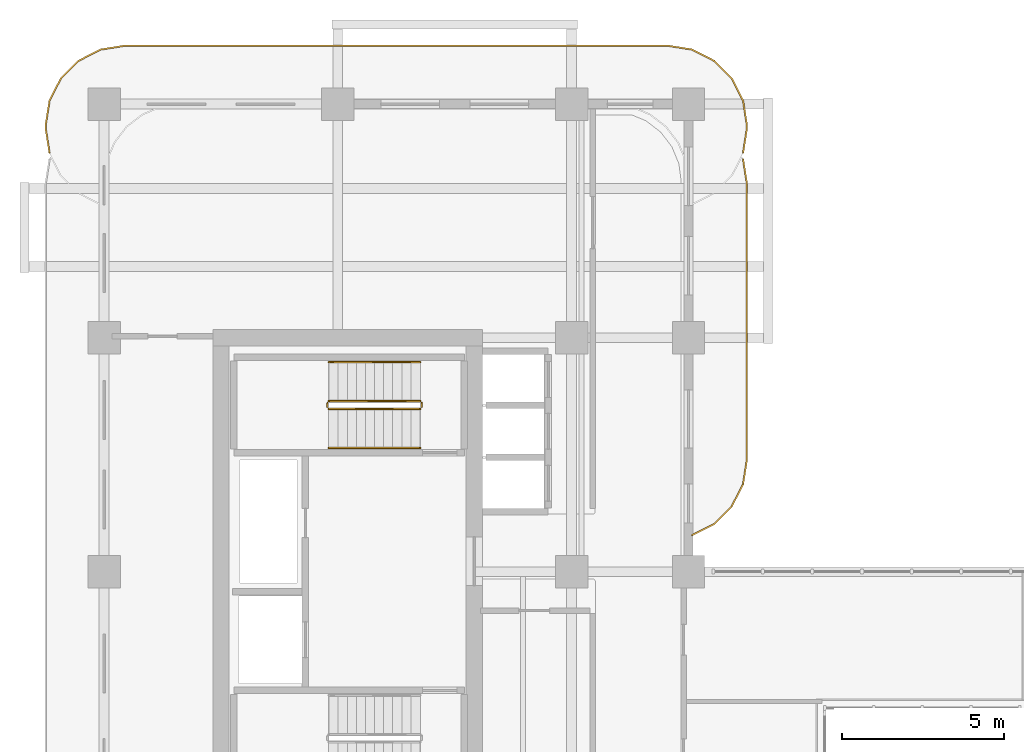
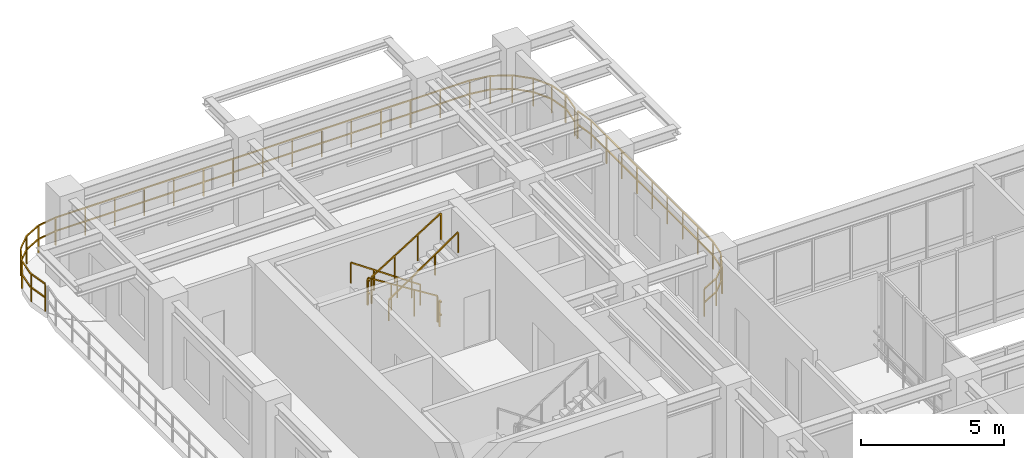
# One storey, part 19 of 19: 8 railings.
"""IFC4 building model written with IfcOpenShell, lengths in metres."""

from ifc_helpers import new_model, si_unit, derived_unit, direction, frame, origin, origin_2d, place, context, subcontext, project, spatial, rectangle, extrude, material, type_object, element, save


model = new_model("IFC4")

# Units and contexts
model_context = context("Model", 3, precision=1e-05, world=origin(), true_north=direction((0.0, 1.0)))
body_context = subcontext(model_context, "Body", "Model", "MODEL_VIEW")
ifc_project = project(units=[si_unit("LENGTHUNIT", "METRE"), si_unit("AREAUNIT", "SQUARE_METRE"), si_unit("VOLUMEUNIT", "CUBIC_METRE"), si_unit("PLANEANGLEUNIT", "RADIAN"), si_unit("MASSUNIT", "GRAM", prefix="KILO"), si_unit("THERMODYNAMICTEMPERATUREUNIT", "KELVIN"), si_unit("POWERUNIT", "WATT"), derived_unit("THERMALTRANSMITTANCEUNIT", [(si_unit("POWERUNIT", "WATT"), 1), (si_unit("AREAUNIT", "SQUARE_METRE"), -1), (si_unit("THERMODYNAMICTEMPERATUREUNIT", "KELVIN"), -1)])], contexts=[model_context])

# Site, building, storey
site_placement = place(None, origin())
site = spatial("IfcSite", under=ifc_project, at=site_placement, CompositionType="ELEMENT")
building_placement = place(site_placement, origin())
building = spatial("IfcBuilding", under=site, at=building_placement, Name="Zahravan Archway Hotel and Residences", CompositionType="ELEMENT")
storey_placement = place(building_placement, frame((0.0, 0.0, 158.0)))
storey = spatial("IfcBuildingStorey", under=building, at=storey_placement, Name="L39", CompositionType="ELEMENT", Elevation=158.0)

# Railings
ifc_material_1 = material(Name="Bronze & Laminated Glass Balustrade", Category="glass")
railing_type_1 = type_object("IfcRailingType", Name="RL-BAL-1200", PredefinedType="BALUSTRADE", material=ifc_material_1)
railing_1_placement = place(storey_placement, frame((-1.68017578125, 45.29296875, 0.0)))
element("IfcRailing", 1, at=railing_1_placement, inside=storey, type_object=railing_type_1, Name="L39 Balustrade RL-SLB-BAL-L39-NB-1", PredefinedType="BALUSTRADE", context=body_context, shape_type="SweptSolid", body=[
    extrude(rectangle(XDim=0.048095703125, YDim=0.048095703125, at=origin_2d()), frame((0.0, 0.0, 1.17578125), z_axis=(-0.156387811283, 0.987695728695, 0.0), x_axis=(-0.987695728695, -0.156387811283, 0.0)), (0.0, 0.0, 1.0), 0.7666015625),
    extrude(rectangle(XDim=0.048095703125, YDim=0.048095703125, at=origin_2d()), frame((0.0, 0.0, 0.60009765625), z_axis=(-0.156387811283, 0.987695728695, 0.0), x_axis=(-0.987695728695, -0.156387811283, 0.0)), (0.0, 0.0, 1.0), 0.7666015625),
    extrude(rectangle(XDim=0.048095703125, YDim=0.048095703125, at=origin_2d()), frame((-0.119873046875, 0.757080078125, 1.17578125), z_axis=(0.0, 1.0, 0.0), x_axis=(-1.0, 0.0, 0.0)), (0.0, 0.0, 1.0), 0.099853515625),
    extrude(rectangle(XDim=0.048095703125, YDim=0.048095703125, at=origin_2d()), frame((-0.119873046875, 0.757080078125, 0.60009765625), z_axis=(0.0, 1.0, 0.0), x_axis=(-1.0, 0.0, 0.0)), (0.0, 0.0, 1.0), 0.099853515625),
    extrude(rectangle(XDim=0.048095703125, YDim=0.048095703125, at=origin_2d()), frame((-0.119873046875, 0.85693359375, 1.17578125), z_axis=(0.156387811283, 0.987695728695, 0.0), x_axis=(-0.987695728695, 0.156387811283, 0.0)), (0.0, 0.0, 1.0), 0.7666015625),
    extrude(rectangle(XDim=0.048095703125, YDim=0.048095703125, at=origin_2d()), frame((-0.119873046875, 0.85693359375, 0.60009765625), z_axis=(0.156387811283, 0.987695728695, 0.0), x_axis=(-0.987695728695, 0.156387811283, 0.0)), (0.0, 0.0, 1.0), 0.7666015625),
    extrude(rectangle(XDim=0.048095703125, YDim=0.048095703125, at=origin_2d()), frame((0.0, 1.614013671875, 1.17578125), z_axis=(0.454078418624, 0.890961721815, 0.0), x_axis=(-0.890961721815, 0.454078418624, 0.0)), (0.0, 0.0, 1.0), 0.7666015625),
    extrude(rectangle(XDim=0.048095703125, YDim=0.048095703125, at=origin_2d()), frame((0.0, 1.614013671875, 0.60009765625), z_axis=(0.454078418624, 0.890961721815, 0.0), x_axis=(-0.890961721815, 0.454078418624, 0.0)), (0.0, 0.0, 1.0), 0.7666015625),
    extrude(rectangle(XDim=0.048095703125, YDim=0.048095703125, at=origin_2d()), frame((0.34814453125, 2.297119140625, 1.17578125), z_axis=(0.707106781187, 0.707106781187, 0.0), x_axis=(-0.707106781187, 0.707106781187, 0.0)), (0.0, 0.0, 1.0), 0.7666015625),
    extrude(rectangle(XDim=0.048095703125, YDim=0.048095703125, at=origin_2d()), frame((0.34814453125, 2.297119140625, 0.60009765625), z_axis=(0.707106781187, 0.707106781187, 0.0), x_axis=(-0.707106781187, 0.707106781187, 0.0)), (0.0, 0.0, 1.0), 0.7666015625),
    extrude(rectangle(XDim=0.048095703125, YDim=0.048095703125, at=origin_2d()), frame((0.89013671875, 2.839111328125, 1.17578125), z_axis=(0.891024909783, 0.453954414172, 0.0), x_axis=(-0.453954414172, 0.891024909783, 0.0)), (0.0, 0.0, 1.0), 0.766357421875),
    extrude(rectangle(XDim=0.048095703125, YDim=0.048095703125, at=origin_2d()), frame((0.89013671875, 2.839111328125, 0.60009765625), z_axis=(0.891024909783, 0.453954414172, 0.0), x_axis=(-0.453954414172, 0.891024909783, 0.0)), (0.0, 0.0, 1.0), 0.766357421875),
    extrude(rectangle(XDim=0.048095703125, YDim=0.048095703125, at=origin_2d()), frame((1.572998046875, 3.18701171875, 1.17578125), z_axis=(0.987646484274, 0.156698507018, 0.0), x_axis=(-0.156698507018, 0.987646484274, 0.0)), (0.0, 0.0, 1.0), 0.7666015625),
    extrude(rectangle(XDim=0.048095703125, YDim=0.048095703125, at=origin_2d()), frame((1.572998046875, 3.18701171875, 0.60009765625), z_axis=(0.987646484274, 0.156698507018, 0.0), x_axis=(-0.156698507018, 0.987646484274, 0.0)), (0.0, 0.0, 1.0), 0.7666015625),
    extrude(rectangle(XDim=0.048095703125, YDim=0.048095703125, at=origin_2d()), frame((2.330078125, 3.30712890625, 1.17578125), z_axis=(1.0, 0.0, 0.0), x_axis=(0.0, 1.0, 0.0)), (0.0, 0.0, 1.0), 16.7001953125),
    extrude(rectangle(XDim=0.048095703125, YDim=0.048095703125, at=origin_2d()), frame((2.330078125, 3.30712890625, 0.60009765625), z_axis=(1.0, 0.0, 0.0), x_axis=(0.0, 1.0, 0.0)), (0.0, 0.0, 1.0), 16.7001953125),
    extrude(rectangle(XDim=0.048095703125, YDim=0.048095703125, at=origin_2d()), frame((19.0302734375, 3.30712890625, 1.17578125), z_axis=(0.987646484274, -0.156698507018, 0.0), x_axis=(0.156698507018, 0.987646484274, 0.0)), (0.0, 0.0, 1.0), 0.7666015625),
    extrude(rectangle(XDim=0.048095703125, YDim=0.048095703125, at=origin_2d()), frame((19.0302734375, 3.30712890625, 0.60009765625), z_axis=(0.987646484274, -0.156698507018, 0.0), x_axis=(0.156698507018, 0.987646484274, 0.0)), (0.0, 0.0, 1.0), 0.7666015625),
    extrude(rectangle(XDim=0.048095703125, YDim=0.048095703125, at=origin_2d()), frame((19.787353515625, 3.18701171875, 1.17578125), z_axis=(0.891024909783, -0.453954414172, 0.0), x_axis=(0.453954414172, 0.891024909783, 0.0)), (0.0, 0.0, 1.0), 0.766357421875),
    extrude(rectangle(XDim=0.048095703125, YDim=0.048095703125, at=origin_2d()), frame((19.787353515625, 3.18701171875, 0.60009765625), z_axis=(0.891024909783, -0.453954414172, 0.0), x_axis=(0.453954414172, 0.891024909783, 0.0)), (0.0, 0.0, 1.0), 0.766357421875),
    extrude(rectangle(XDim=0.048095703125, YDim=0.048095703125, at=origin_2d()), frame((20.47021484375, 2.839111328125, 1.17578125), z_axis=(0.707106781187, -0.707106781187, 0.0), x_axis=(0.707106781187, 0.707106781187, 0.0)), (0.0, 0.0, 1.0), 0.7666015625),
    extrude(rectangle(XDim=0.048095703125, YDim=0.048095703125, at=origin_2d()), frame((20.47021484375, 2.839111328125, 0.60009765625), z_axis=(0.707106781187, -0.707106781187, 0.0), x_axis=(0.707106781187, 0.707106781187, 0.0)), (0.0, 0.0, 1.0), 0.7666015625),
    extrude(rectangle(XDim=0.048095703125, YDim=0.048095703125, at=origin_2d()), frame((21.01220703125, 2.297119140625, 1.17578125), z_axis=(0.454078418624, -0.890961721815, 0.0), x_axis=(0.890961721815, 0.454078418624, 0.0)), (0.0, 0.0, 1.0), 0.7666015625),
    extrude(rectangle(XDim=0.048095703125, YDim=0.048095703125, at=origin_2d()), frame((21.01220703125, 2.297119140625, 0.60009765625), z_axis=(0.454078418624, -0.890961721815, 0.0), x_axis=(0.890961721815, 0.454078418624, 0.0)), (0.0, 0.0, 1.0), 0.7666015625),
    extrude(rectangle(XDim=0.048095703125, YDim=0.048095703125, at=origin_2d()), frame((21.3603515625, 1.614013671875, 1.17578125), z_axis=(0.156387811283, -0.987695728695, 0.0), x_axis=(0.987695728695, 0.156387811283, 0.0)), (0.0, 0.0, 1.0), 0.7666015625),
    extrude(rectangle(XDim=0.048095703125, YDim=0.048095703125, at=origin_2d()), frame((21.3603515625, 1.614013671875, 0.60009765625), z_axis=(0.156387811283, -0.987695728695, 0.0), x_axis=(0.987695728695, 0.156387811283, 0.0)), (0.0, 0.0, 1.0), 0.7666015625),
    extrude(rectangle(XDim=0.048095703125, YDim=0.048095703125, at=origin_2d()), frame((21.480224609375, 0.85693359375, 1.17578125), z_axis=(0.0, -1.0, 0.0), x_axis=(1.0, 0.0, 0.0)), (0.0, 0.0, 1.0), 0.099853515625),
    extrude(rectangle(XDim=0.048095703125, YDim=0.048095703125, at=origin_2d()), frame((21.480224609375, 0.85693359375, 0.60009765625), z_axis=(0.0, -1.0, 0.0), x_axis=(1.0, 0.0, 0.0)), (0.0, 0.0, 1.0), 0.099853515625),
    extrude(rectangle(XDim=0.048095703125, YDim=0.048095703125, at=origin_2d()), frame((21.480224609375, 0.757080078125, 1.17578125), z_axis=(-0.156387811283, -0.987695728695, 0.0), x_axis=(0.987695728695, -0.156387811283, 0.0)), (0.0, 0.0, 1.0), 0.7666015625),
    extrude(rectangle(XDim=0.048095703125, YDim=0.048095703125, at=origin_2d()), frame((21.480224609375, 0.757080078125, 0.60009765625), z_axis=(-0.156387811283, -0.987695728695, 0.0), x_axis=(0.987695728695, -0.156387811283, 0.0)), (0.0, 0.0, 1.0), 0.7666015625),
    extrude(rectangle(XDim=0.0419921875, YDim=0.0419921875, at=origin_2d()), origin(), (0.0, 0.0, 1.0), 1.15185546875),
    extrude(rectangle(XDim=0.0419921875, YDim=0.0419921875, at=origin_2d()), frame((-0.119873046875, 0.757080078125, 0.0)), (0.0, 0.0, 1.0), 1.15185546875),
    extrude(rectangle(XDim=0.0419921875, YDim=0.0419921875, at=origin_2d()), frame((0.0, 1.614013671875, 0.0)), (0.0, 0.0, 1.0), 1.15185546875),
    extrude(rectangle(XDim=0.0419921875, YDim=0.0419921875, at=origin_2d()), frame((0.34814453125, 2.297119140625, 0.0)), (0.0, 0.0, 1.0), 1.15185546875),
    extrude(rectangle(XDim=0.0419921875, YDim=0.0419921875, at=origin_2d()), frame((0.89013671875, 2.839111328125, 0.0)), (0.0, 0.0, 1.0), 1.15185546875),
    extrude(rectangle(XDim=0.0419921875, YDim=0.0419921875, at=origin_2d()), frame((1.572998046875, 3.18701171875, 0.0)), (0.0, 0.0, 1.0), 1.15185546875),
    extrude(rectangle(XDim=0.0419921875, YDim=0.0419921875, at=origin_2d()), frame((2.330078125, 3.30712890625, 0.0)), (0.0, 0.0, 1.0), 1.15185546875),
    extrude(rectangle(XDim=0.0419921875, YDim=0.0419921875, at=origin_2d()), frame((3.52294921875, 3.30712890625, 0.0)), (0.0, 0.0, 1.0), 1.15185546875),
    extrude(rectangle(XDim=0.0419921875, YDim=0.0419921875, at=origin_2d()), frame((4.7158203125, 3.30712890625, 0.0)), (0.0, 0.0, 1.0), 1.15185546875),
    extrude(rectangle(XDim=0.0419921875, YDim=0.0419921875, at=origin_2d()), frame((5.90869140625, 3.30712890625, 0.0)), (0.0, 0.0, 1.0), 1.15185546875),
    extrude(rectangle(XDim=0.0419921875, YDim=0.0419921875, at=origin_2d()), frame((7.1015625, 3.30712890625, 0.0)), (0.0, 0.0, 1.0), 1.15185546875),
    extrude(rectangle(XDim=0.0419921875, YDim=0.0419921875, at=origin_2d()), frame((8.29443359375, 3.30712890625, 0.0)), (0.0, 0.0, 1.0), 1.15185546875),
    extrude(rectangle(XDim=0.0419921875, YDim=0.0419921875, at=origin_2d()), frame((9.4873046875, 3.30712890625, 0.0)), (0.0, 0.0, 1.0), 1.15185546875),
    extrude(rectangle(XDim=0.0419921875, YDim=0.0419921875, at=origin_2d()), frame((10.68017578125, 3.30712890625, 0.0)), (0.0, 0.0, 1.0), 1.15185546875),
    extrude(rectangle(XDim=0.0419921875, YDim=0.0419921875, at=origin_2d()), frame((11.873046875, 3.30712890625, 0.0)), (0.0, 0.0, 1.0), 1.15185546875),
    extrude(rectangle(XDim=0.0419921875, YDim=0.0419921875, at=origin_2d()), frame((13.06591796875, 3.30712890625, 0.0)), (0.0, 0.0, 1.0), 1.15185546875),
    extrude(rectangle(XDim=0.0419921875, YDim=0.0419921875, at=origin_2d()), frame((14.2587890625, 3.30712890625, 0.0)), (0.0, 0.0, 1.0), 1.15185546875),
    extrude(rectangle(XDim=0.0419921875, YDim=0.0419921875, at=origin_2d()), frame((15.45166015625, 3.30712890625, 0.0)), (0.0, 0.0, 1.0), 1.15185546875),
    extrude(rectangle(XDim=0.0419921875, YDim=0.0419921875, at=origin_2d()), frame((16.64453125, 3.30712890625, 0.0)), (0.0, 0.0, 1.0), 1.15185546875),
    extrude(rectangle(XDim=0.0419921875, YDim=0.0419921875, at=origin_2d()), frame((17.83740234375, 3.30712890625, 0.0)), (0.0, 0.0, 1.0), 1.15185546875),
    extrude(rectangle(XDim=0.0419921875, YDim=0.0419921875, at=origin_2d()), frame((19.0302734375, 3.30712890625, 0.0)), (0.0, 0.0, 1.0), 1.15185546875),
    extrude(rectangle(XDim=0.0419921875, YDim=0.0419921875, at=origin_2d()), frame((19.787353515625, 3.18701171875, 0.0)), (0.0, 0.0, 1.0), 1.15185546875),
    extrude(rectangle(XDim=0.0419921875, YDim=0.0419921875, at=origin_2d()), frame((20.47021484375, 2.839111328125, 0.0)), (0.0, 0.0, 1.0), 1.15185546875),
    extrude(rectangle(XDim=0.0419921875, YDim=0.0419921875, at=origin_2d()), frame((21.01220703125, 2.297119140625, 0.0)), (0.0, 0.0, 1.0), 1.15185546875),
    extrude(rectangle(XDim=0.0419921875, YDim=0.0419921875, at=origin_2d()), frame((21.3603515625, 1.614013671875, 0.0)), (0.0, 0.0, 1.0), 1.15185546875),
    extrude(rectangle(XDim=0.0419921875, YDim=0.0419921875, at=origin_2d()), frame((21.480224609375, 0.85693359375, 0.0)), (0.0, 0.0, 1.0), 1.15185546875),
    extrude(rectangle(XDim=0.0419921875, YDim=0.0419921875, at=origin_2d()), frame((21.3603515625, 0.0, 0.0)), (0.0, 0.0, 1.0), 1.15185546875),
])
railing_2_placement = place(storey_placement, frame((19.68017578125, 45.107177734375, 0.0)))
element("IfcRailing", 2, at=railing_2_placement, inside=storey, type_object=railing_type_1, Name="L39 Balustrade RL-SLB-BAL-L39-EB-1", PredefinedType="BALUSTRADE", context=body_context, shape_type="SweptSolid", body=[
    extrude(rectangle(XDim=0.048095703125, YDim=0.048095703125, at=origin_2d()), frame((0.0, 0.0, 1.17578125), z_axis=(0.156387811283, -0.987695728695, 0.0), x_axis=(0.987695728695, 0.156387811283, 0.0)), (0.0, 0.0, 1.0), 0.7666015625),
    extrude(rectangle(XDim=0.048095703125, YDim=0.048095703125, at=origin_2d()), frame((0.0, 0.0, 0.60009765625), z_axis=(0.156387811283, -0.987695728695, 0.0), x_axis=(0.987695728695, 0.156387811283, 0.0)), (0.0, 0.0, 1.0), 0.7666015625),
    extrude(rectangle(XDim=0.048095703125, YDim=0.048095703125, at=origin_2d()), frame((0.119873046875, -0.757080078125, 1.17578125), z_axis=(0.0, -1.0, 0.0), x_axis=(1.0, 0.0, 0.0)), (0.0, 0.0, 1.0), 8.5),
    extrude(rectangle(XDim=0.048095703125, YDim=0.048095703125, at=origin_2d()), frame((0.119873046875, -0.757080078125, 0.60009765625), z_axis=(0.0, -1.0, 0.0), x_axis=(1.0, 0.0, 0.0)), (0.0, 0.0, 1.0), 8.5),
    extrude(rectangle(XDim=0.048095703125, YDim=0.048095703125, at=origin_2d()), frame((0.119873046875, -9.257080078125, 1.17578125), z_axis=(-0.156387811283, -0.987695728695, 0.0), x_axis=(0.987695728695, -0.156387811283, 0.0)), (0.0, 0.0, 1.0), 0.7666015625),
    extrude(rectangle(XDim=0.048095703125, YDim=0.048095703125, at=origin_2d()), frame((0.119873046875, -9.257080078125, 0.60009765625), z_axis=(-0.156387811283, -0.987695728695, 0.0), x_axis=(0.987695728695, -0.156387811283, 0.0)), (0.0, 0.0, 1.0), 0.7666015625),
    extrude(rectangle(XDim=0.048095703125, YDim=0.048095703125, at=origin_2d()), frame((0.0, -10.01416015625, 1.17578125), z_axis=(-0.454078418624, -0.890961721815, 0.0), x_axis=(0.890961721815, -0.454078418624, 0.0)), (0.0, 0.0, 1.0), 0.7666015625),
    extrude(rectangle(XDim=0.048095703125, YDim=0.048095703125, at=origin_2d()), frame((0.0, -10.01416015625, 0.60009765625), z_axis=(-0.454078418624, -0.890961721815, 0.0), x_axis=(0.890961721815, -0.454078418624, 0.0)), (0.0, 0.0, 1.0), 0.7666015625),
    extrude(rectangle(XDim=0.048095703125, YDim=0.048095703125, at=origin_2d()), frame((-0.34814453125, -10.697265625, 1.17578125), z_axis=(-0.707106781187, -0.707106781187, 0.0), x_axis=(0.707106781187, -0.707106781187, 0.0)), (0.0, 0.0, 1.0), 0.7666015625),
    extrude(rectangle(XDim=0.048095703125, YDim=0.048095703125, at=origin_2d()), frame((-0.34814453125, -10.697265625, 0.60009765625), z_axis=(-0.707106781187, -0.707106781187, 0.0), x_axis=(0.707106781187, -0.707106781187, 0.0)), (0.0, 0.0, 1.0), 0.7666015625),
    extrude(rectangle(XDim=0.048095703125, YDim=0.048095703125, at=origin_2d()), frame((-0.89013671875, -11.2392578125, 1.17578125), z_axis=(-0.891024909783, -0.453954414172, 0.0), x_axis=(0.453954414172, -0.891024909783, 0.0)), (0.0, 0.0, 1.0), 0.766357421875),
    extrude(rectangle(XDim=0.048095703125, YDim=0.048095703125, at=origin_2d()), frame((-0.89013671875, -11.2392578125, 0.60009765625), z_axis=(-0.891024909783, -0.453954414172, 0.0), x_axis=(0.453954414172, -0.891024909783, 0.0)), (0.0, 0.0, 1.0), 0.766357421875),
    extrude(rectangle(XDim=0.0419921875, YDim=0.0419921875, at=origin_2d()), origin(), (0.0, 0.0, 1.0), 1.15185546875),
    extrude(rectangle(XDim=0.0419921875, YDim=0.0419921875, at=origin_2d()), frame((0.119873046875, -0.757080078125, 0.0)), (0.0, 0.0, 1.0), 1.15185546875),
    extrude(rectangle(XDim=0.0419921875, YDim=0.0419921875, at=origin_2d()), frame((0.119873046875, -1.819580078125, 0.0)), (0.0, 0.0, 1.0), 1.15185546875),
    extrude(rectangle(XDim=0.0419921875, YDim=0.0419921875, at=origin_2d()), frame((0.119873046875, -2.882080078125, 0.0)), (0.0, 0.0, 1.0), 1.15185546875),
    extrude(rectangle(XDim=0.0419921875, YDim=0.0419921875, at=origin_2d()), frame((0.119873046875, -3.944580078125, 0.0)), (0.0, 0.0, 1.0), 1.15185546875),
    extrude(rectangle(XDim=0.0419921875, YDim=0.0419921875, at=origin_2d()), frame((0.119873046875, -5.007080078125, 0.0)), (0.0, 0.0, 1.0), 1.15185546875),
    extrude(rectangle(XDim=0.0419921875, YDim=0.0419921875, at=origin_2d()), frame((0.119873046875, -6.069580078125, 0.0)), (0.0, 0.0, 1.0), 1.15185546875),
    extrude(rectangle(XDim=0.0419921875, YDim=0.0419921875, at=origin_2d()), frame((0.119873046875, -7.132080078125, 0.0)), (0.0, 0.0, 1.0), 1.15185546875),
    extrude(rectangle(XDim=0.0419921875, YDim=0.0419921875, at=origin_2d()), frame((0.119873046875, -8.194580078125, 0.0)), (0.0, 0.0, 1.0), 1.15185546875),
    extrude(rectangle(XDim=0.0419921875, YDim=0.0419921875, at=origin_2d()), frame((0.119873046875, -9.257080078125, 0.0)), (0.0, 0.0, 1.0), 1.15185546875),
    extrude(rectangle(XDim=0.0419921875, YDim=0.0419921875, at=origin_2d()), frame((0.0, -10.01416015625, 0.0)), (0.0, 0.0, 1.0), 1.15185546875),
    extrude(rectangle(XDim=0.0419921875, YDim=0.0419921875, at=origin_2d()), frame((-0.34814453125, -10.697265625, 0.0)), (0.0, 0.0, 1.0), 1.15185546875),
    extrude(rectangle(XDim=0.0419921875, YDim=0.0419921875, at=origin_2d()), frame((-0.89013671875, -11.2392578125, 0.0)), (0.0, 0.0, 1.0), 1.15185546875),
    extrude(rectangle(XDim=0.0419921875, YDim=0.0419921875, at=origin_2d()), frame((-1.572998046875, -11.587158203125, 0.0)), (0.0, 0.0, 1.0), 1.15185546875),
])
ifc_material_2 = material(Name="Painted Tubular Steel", Category="steel")
railing_type_2 = type_object("IfcRailingType", Name="RL-STG-1150", PredefinedType="GUARDRAIL", material=ifc_material_2)
railing_3_placement = place(storey_placement, frame((9.72998046875, 37.64990234375, 0.175048828125)))
element("IfcRailing", 3, at=railing_3_placement, inside=storey, type_object=railing_type_2, Name="L39 ST-B2 stair guard 1", PredefinedType="GUARDRAIL", context=body_context, shape_type="SweptSolid", body=[
    extrude(rectangle(XDim=0.048095703125, YDim=0.048095703125, at=origin_2d()), frame((0.0, 0.0, 1.1259765625), z_axis=(-0.848002457836, 0.0, 0.529992293815), x_axis=(0.0, -1.0, 0.0)), (0.0, 0.0, 1.0), 3.302001953125),
    extrude(rectangle(XDim=0.0419921875, YDim=0.0419921875, at=origin_2d()), origin(), (0.0, 0.0, 1.0), 1.101806640625),
    extrude(rectangle(XDim=0.0419921875, YDim=0.0419921875, at=origin_2d()), frame((-0.933349609375, 0.0, 0.583251953125)), (0.0, 0.0, 1.0), 1.101806640625),
    extrude(rectangle(XDim=0.0419921875, YDim=0.0419921875, at=origin_2d()), frame((-1.86669921875, 0.0, 1.166748046875)), (0.0, 0.0, 1.0), 1.101806640625),
    extrude(rectangle(XDim=0.0419921875, YDim=0.0419921875, at=origin_2d()), frame((-2.800048828125, 0.0, 1.75)), (0.0, 0.0, 1.0), 1.101806640625),
])
railing_4_placement = place(storey_placement, frame((6.8798828125, 37.60009765625, 1.925048828125)))
element("IfcRailing", 4, at=railing_4_placement, inside=storey, type_object=railing_type_2, Name="L39 ST-B2 stair guard 2", PredefinedType="GUARDRAIL", context=body_context, shape_type="SweptSolid", body=[
    extrude(rectangle(XDim=0.048095703125, YDim=0.048095703125, at=origin_2d()), frame((0.0, 0.0, 1.1259765625), z_axis=(0.0, -1.0, 0.0), x_axis=(1.0, 0.0, 0.0)), (0.0, 0.0, 1.0), 0.14013671875),
    extrude(rectangle(XDim=0.048095703125, YDim=0.048095703125, at=origin_2d()), frame((0.0, 0.0, 0.574951171875), z_axis=(0.0, -1.0, 0.0), x_axis=(1.0, 0.0, 0.0)), (0.0, 0.0, 1.0), 0.14013671875),
    extrude(rectangle(XDim=0.0419921875, YDim=0.0419921875, at=origin_2d()), origin(), (0.0, 0.0, 1.0), 1.101806640625),
])
railing_5_placement = place(storey_placement, frame((6.929931640625, 37.409912109375, 2.10009765625)))
element("IfcRailing", 5, at=railing_5_placement, inside=storey, type_object=railing_type_2, Name="L39 ST-B2 stair guard 3", PredefinedType="GUARDRAIL", context=body_context, shape_type="SweptSolid", body=[
    extrude(rectangle(XDim=0.048095703125, YDim=0.048095703125, at=origin_2d()), frame((0.0, 0.0, 1.1259765625), z_axis=(0.848002457836, 0.0, 0.529992293815), x_axis=(0.0, 1.0, 0.0)), (0.0, 0.0, 1.0), 3.302001953125),
    extrude(rectangle(XDim=0.0419921875, YDim=0.0419921875, at=origin_2d()), origin(), (0.0, 0.0, 1.0), 1.101806640625),
    extrude(rectangle(XDim=0.0419921875, YDim=0.0419921875, at=origin_2d()), frame((0.933349609375, 0.0, 0.583251953125)), (0.0, 0.0, 1.0), 1.101806640625),
    extrude(rectangle(XDim=0.0419921875, YDim=0.0419921875, at=origin_2d()), frame((1.86669921875, 0.0, 1.166748046875)), (0.0, 0.0, 1.0), 1.101806640625),
    extrude(rectangle(XDim=0.0419921875, YDim=0.0419921875, at=origin_2d()), frame((2.800048828125, 0.0, 1.75)), (0.0, 0.0, 1.0), 1.101806640625),
])
railing_6_placement = place(storey_placement, frame((9.780029296875, 37.60009765625, 0.0)))
element("IfcRailing", 6, at=railing_6_placement, inside=storey, type_object=railing_type_2, Name="L39 ST-B2 stair guard 4", PredefinedType="GUARDRAIL", context=body_context, shape_type="SweptSolid", body=[
    extrude(rectangle(XDim=0.048095703125, YDim=0.048095703125, at=origin_2d()), frame((0.0, 0.0, 1.1259765625), z_axis=(0.0, -1.0, 0.0), x_axis=(1.0, 0.0, 0.0)), (0.0, 0.0, 1.0), 0.14013671875),
    extrude(rectangle(XDim=0.048095703125, YDim=0.048095703125, at=origin_2d()), frame((0.0, 0.0, 0.574951171875), z_axis=(0.0, -1.0, 0.0), x_axis=(1.0, 0.0, 0.0)), (0.0, 0.0, 1.0), 0.14013671875),
    extrude(rectangle(XDim=0.0419921875, YDim=0.0419921875, at=origin_2d()), origin(), (0.0, 0.0, 1.0), 1.101806640625),
])
ifc_material_3 = material(Name="Brushed Stainless Steel", Category="steel")
railing_type_3 = type_object("IfcRailingType", Name="RL-STH-900", PredefinedType="HANDRAIL", material=ifc_material_3)
railing_7_placement = place(storey_placement, frame((9.72998046875, 38.85009765625, 0.175048828125)))
element("IfcRailing", 7, at=railing_7_placement, inside=storey, type_object=railing_type_3, Name="L39 ST-B2 stair handrail 1", PredefinedType="HANDRAIL", context=body_context, shape_type="SweptSolid", body=[
    extrude(rectangle(XDim=0.048095703125, YDim=0.048095703125, at=origin_2d()), frame((0.0, 0.0, 0.8759765625), z_axis=(-0.824039827795, 0.0, 0.566531872191), x_axis=(0.0, -1.0, 0.0)), (0.0, 0.0, 1.0), 3.39794921875),
    extrude(rectangle(XDim=0.0419921875, YDim=0.0419921875, at=origin_2d()), origin(), (0.0, 0.0, 1.0), 0.851806640625),
    extrude(rectangle(XDim=0.0419921875, YDim=0.0419921875, at=origin_2d()), frame((-0.933349609375, 0.0, 0.6416015625)), (0.0, 0.0, 1.0), 0.851806640625),
    extrude(rectangle(XDim=0.0419921875, YDim=0.0419921875, at=origin_2d()), frame((-1.86669921875, 0.0, 1.283447265625)), (0.0, 0.0, 1.0), 0.851806640625),
    extrude(rectangle(XDim=0.0419921875, YDim=0.0419921875, at=origin_2d()), frame((-2.800048828125, 0.0, 1.925048828125)), (0.0, 0.0, 1.0), 0.851806640625),
])
railing_8_placement = place(storey_placement, frame((6.929931640625, 36.2099609375, 2.10009765625)))
element("IfcRailing", 8, at=railing_8_placement, inside=storey, type_object=railing_type_3, Name="L39 ST-B2 stair handrail 2", PredefinedType="HANDRAIL", context=body_context, shape_type="SweptSolid", body=[
    extrude(rectangle(XDim=0.048095703125, YDim=0.048095703125, at=origin_2d()), frame((0.0, 0.0, 0.8759765625), z_axis=(0.824073370198, 0.0, 0.566483080534), x_axis=(0.0, 1.0, 0.0)), (0.0, 0.0, 1.0), 3.397705078125),
    extrude(rectangle(XDim=0.0419921875, YDim=0.0419921875, at=origin_2d()), origin(), (0.0, 0.0, 1.0), 0.851806640625),
    extrude(rectangle(XDim=0.0419921875, YDim=0.0419921875, at=origin_2d()), frame((0.933349609375, 0.0, 0.6416015625)), (0.0, 0.0, 1.0), 0.851806640625),
    extrude(rectangle(XDim=0.0419921875, YDim=0.0419921875, at=origin_2d()), frame((1.86669921875, 0.0, 1.283203125)), (0.0, 0.0, 1.0), 0.851806640625),
    extrude(rectangle(XDim=0.0419921875, YDim=0.0419921875, at=origin_2d()), frame((2.800048828125, 0.0, 1.9248046875)), (0.0, 0.0, 1.0), 0.851806640625),
])

save(model, "model.ifc")
